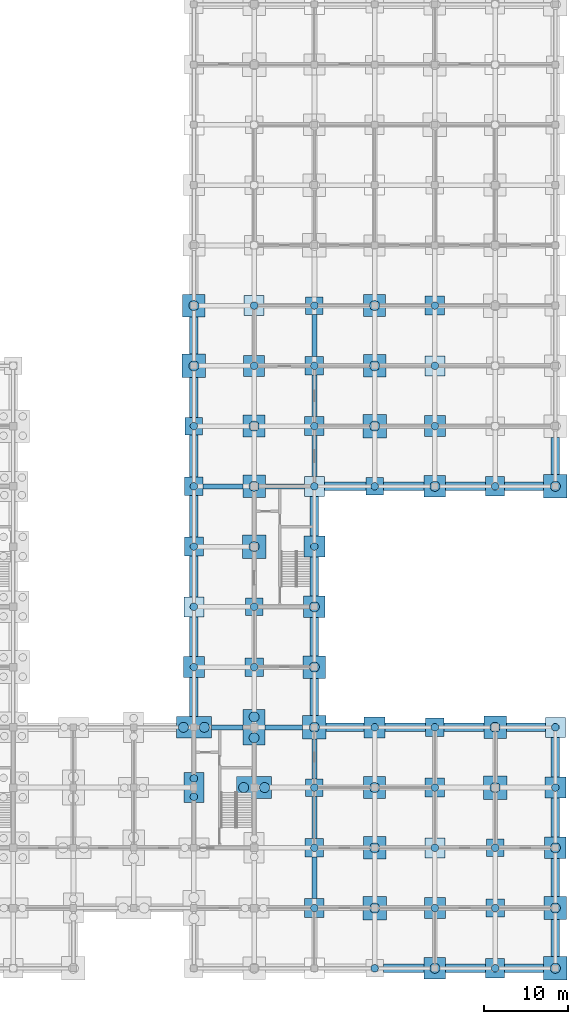
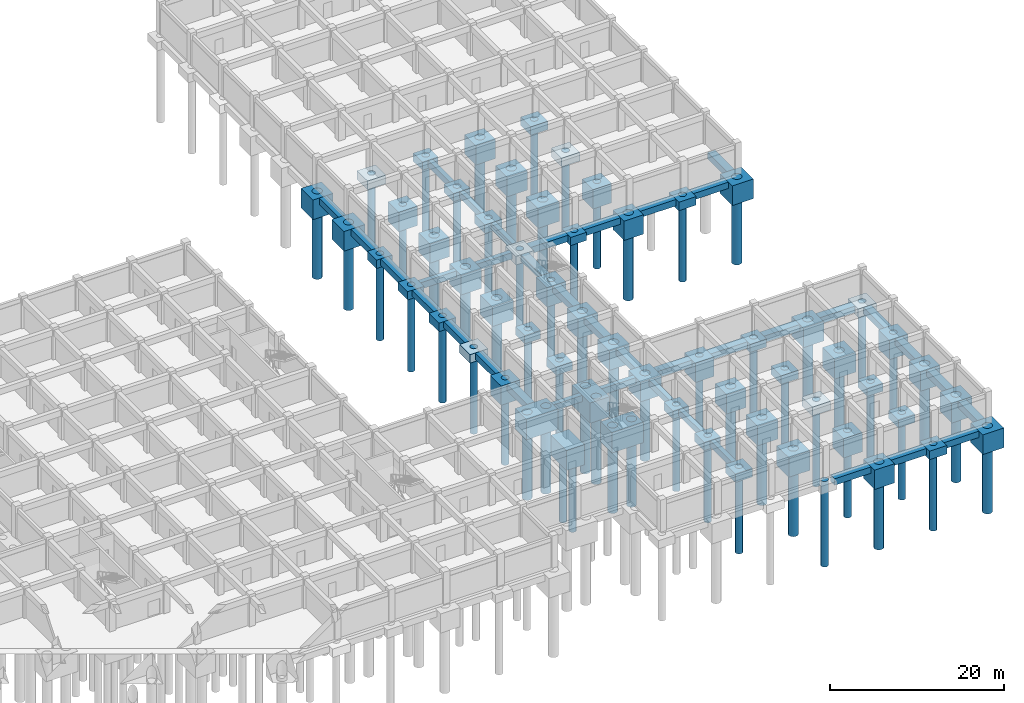
# One storey, part 6 of 25: 95 footings, 63 piles.
"""IFC4 building model written with IfcOpenShell, lengths in metres."""

from ifc_helpers import new_model, si_unit, direction, frame, origin, origin_2d, place, context, subcontext, project, spatial, rectangle, circle, extrude, material, material_profile, profile_set, type_object, element, save


model = new_model("IFC4")

# Units and contexts
model_context = context("Model", 3, precision=1e-05, world=origin(), true_north=direction((0.0, 1.0)))
body_context = subcontext(model_context, "Body", "Model", "MODEL_VIEW")
ifc_project = project(units=[si_unit("LENGTHUNIT", "METRE"), si_unit("AREAUNIT", "SQUARE_METRE"), si_unit("VOLUMEUNIT", "CUBIC_METRE"), si_unit("PLANEANGLEUNIT", "RADIAN"), si_unit("MASSUNIT", "GRAM", prefix="KILO")], contexts=[model_context])

# Site, building, storey
site_placement = place(None, origin())
site = spatial("IfcSite", under=ifc_project, at=site_placement, CompositionType="ELEMENT")
building_placement = place(site_placement, origin())
building = spatial("IfcBuilding", under=site, at=building_placement, Name="Cendaluz Park School", CompositionType="ELEMENT")
storey_placement = place(building_placement, frame((0.0, 0.0, -4.5)))
storey = spatial("IfcBuildingStorey", under=building, at=storey_placement, Name="B1", CompositionType="ELEMENT", Elevation=-4.5)

# Piles
ifc_material = material(Name="Concrete C40/50", Category="concrete")
ifc_material_profile_1 = material_profile(ifc_material, circle(Radius=0.449951171875, at=origin_2d()), Name="BP D900", Category="concrete")
ifc_profile_set_1 = profile_set([ifc_material_profile_1], Name="Concrete C40/50")
pile_type_1 = type_object("IfcPileType", Name="BP-01", PredefinedType="BORED", material=ifc_profile_set_1)
for number, where, z_axis, x_axis, name in (
    (1, (129.60009765625, 20.5, -0.5), (0.0, 0.0, -1.0), (1.0, 0.0, 0.0), "PL-B1-407"),
    (2, (129.60009765625, 22.699951171875, -0.5), (0.0, 0.0, -1.0), (1.0, 0.0, 0.0), "PL-B1-408"),
    (3, (129.60009765625, 36.0, -0.5), (0.0, 0.0, -1.0), (1.0, 0.0, 0.0), "PL-B1-411"),
    (4, (129.60009765625, 43.199951171875, -0.5), (0.0, 0.0, -1.0), (1.0, 0.0, 0.0), "PL-B1-412"),
    (5, (129.60009765625, 50.39990234375, -0.5), (0.0, 0.0, -1.0), (1.0, 0.0, 0.0), "PL-B1-413"),
    (6, (129.60009765625, 57.60009765625, -0.5), (0.0, 0.0, -1.0), (1.0, 0.0, 0.0), "PL-B1-414"),
    (7, (129.60009765625, 64.800048828125, -0.5), (0.0, 0.0, -1.0), (1.0, 0.0, 0.0), "PL-B1-415"),
    (8, (136.800048828125, 36.0, -0.5), (0.0, 0.0, -1.0), (1.0, 0.0, 0.0), "PL-B1-432"),
    (9, (136.800048828125, 43.199951171875, -0.5), (0.0, 0.0, -1.0), (1.0, 0.0, 0.0), "PL-B1-433"),
    (10, (136.800048828125, 72.0, -0.5), (0.0, 0.0, -1.0), (1.0, 0.0, 0.0), "PL-B1-437"),
    (11, (136.800048828125, 79.199951171875, -0.5), (0.0, 0.0, -1.0), (1.0, 0.0, 0.0), "PL-B1-438"),
    (12, (144.0, 7.199951171875, -0.5), (0.0, 0.0, -1.0), (1.0, 0.0, 0.0), "PL-B1-445"),
    (13, (144.0, 14.39990234375, -0.5), (0.0, 0.0, -1.0), (1.0, 0.0, 0.0), "PL-B1-446"),
    (14, (144.0, 21.60009765625, -0.5), (0.0, 0.0, -1.0), (1.0, 0.0, 0.0), "PL-B1-447"),
    (15, (144.0, 50.39990234375, -0.5), (0.0, 0.0, -1.0), (1.0, 0.0, 0.0), "PL-B1-451"),
    (16, (144.0, 57.60009765625, -0.5), (0.0, 0.0, -1.0), (1.0, 0.0, 0.0), "PL-B1-452"),
    (17, (144.0, 64.800048828125, -0.5), (0.0, 0.0, -1.0), (1.0, 0.0, 0.0), "PL-B1-453"),
    (18, (144.0, 72.0, -0.5), (0.0, 0.0, -1.0), (1.0, 0.0, 0.0), "PL-B1-454"),
    (19, (144.0, 79.199951171875, -0.5), (0.0, 0.0, -1.0), (1.0, 0.0, 0.0), "PL-B1-455"),
    (20, (151.199951171875, 0.0, -0.5), (0.0, 0.0, -1.0), (1.0, 0.0, 0.0), "PL-B1-461"),
    (21, (151.199951171875, 28.800048828125, -0.5), (0.0, 0.0, -1.0), (1.0, 0.0, 0.0), "PL-B1-465"),
    (22, (151.199951171875, 57.60009765625, -0.5), (0.0, 0.0, -1.0), (1.0, 0.0, 0.0), "PL-B1-466"),
    (23, (158.39990234375, 7.199951171875, -0.5), (0.0, 0.0, -1.0), (1.0, 0.0, 0.0), "PL-B1-476"),
    (24, (158.39990234375, 14.39990234375, -0.5), (0.0, 0.0, -1.0), (1.0, 0.0, 0.0), "PL-B1-477"),
    (25, (158.39990234375, 21.60009765625, -0.5), (0.0, 0.0, -1.0), (1.0, 0.0, 0.0), "PL-B1-478"),
    (26, (158.39990234375, 28.800048828125, -0.5), (0.0, 0.0, -1.0), (1.0, 0.0, 0.0), "PL-B1-479"),
    (27, (158.39990234375, 64.800048828125, -0.5), (0.0, 0.0, -1.0), (1.0, 0.0, 0.0), "PL-B1-481"),
    (28, (158.39990234375, 72.0, -0.5), (0.0, 0.0, -1.0), (1.0, 0.0, 0.0), "PL-B1-482"),
    (29, (158.39990234375, 79.199951171875, -0.5), (0.0, 0.0, -1.0), (1.0, 0.0, 0.0), "PL-B1-483"),
    (30, (165.60009765625, 0.0, -0.5), (0.0, 0.0, -1.0), (1.0, 0.0, 0.0), "PL-B1-489"),
    (31, (165.60009765625, 7.199951171875, -0.5), (0.0, 0.0, -1.0), (1.0, 0.0, 0.0), "PL-B1-490"),
    (32, (165.60009765625, 14.39990234375, -0.5), (0.0, 0.0, -1.0), (1.0, 0.0, 0.0), "PL-B1-491"),
    (33, (165.60009765625, 57.60009765625, -0.5), (0.0, 0.0, -1.0), (1.0, 0.0, 0.0), "PL-B1-494"),
    (34, (172.800048828125, 21.60009765625, -0.5), (0.0, 0.0, -1.0), (1.0, 0.0, 0.0), "PL-B1-506"),
    (35, (172.800048828125, 28.800048828125, -0.5), (0.0, 0.0, -1.0), (1.0, 0.0, 0.0), "PL-B1-507"),
):
    element("IfcPile", number, at=place(storey_placement, frame(where, z_axis=z_axis, x_axis=x_axis)), inside=storey, type_object=pile_type_1, Name=name, PredefinedType="BORED", context=body_context, shape_type="SweptSolid", body=[
        extrude(circle(Radius=0.449951171875, at=origin_2d()), origin(), (0.0, 0.0, 1.0), 12.0),
    ])
ifc_material_profile_2 = material_profile(ifc_material, circle(Radius=0.60009765625, at=origin_2d()), Name="BP D1200", Category="concrete")
ifc_profile_set_2 = profile_set([ifc_material_profile_2], Name="Concrete C40/50")
pile_type_2 = type_object("IfcPileType", Name="BP-02", PredefinedType="BORED", material=ifc_profile_set_2)
for number, where, z_axis, x_axis, name in (
    (36, (128.35009765625, 28.800048828125, -0.5), (0.0, 0.0, -1.0), (1.0, 0.0, 0.0), "PL-B1-409"),
    (37, (130.85009765625, 28.800048828125, -0.5), (0.0, 0.0, -1.0), (1.0, 0.0, 0.0), "PL-B1-410"),
    (38, (129.60009765625, 72.0, -0.5), (0.0, 0.0, -1.0), (1.0, 0.0, 0.0), "PL-B1-416"),
    (39, (129.60009765625, 79.199951171875, -0.5), (0.0, 0.0, -1.0), (1.0, 0.0, 0.0), "PL-B1-417"),
    (40, (135.550048828125, 21.60009765625, -0.5), (0.0, 0.0, -1.0), (1.0, 0.0, 0.0), "PL-B1-428"),
    (41, (138.050048828125, 21.60009765625, -0.5), (0.0, 0.0, -1.0), (1.0, 0.0, 0.0), "PL-B1-429"),
    (42, (136.800048828125, 27.550048828125, -0.5), (0.0, 0.0, -1.0), (1.0, 0.0, 0.0), "PL-B1-430"),
    (43, (136.800048828125, 30.050048828125, -0.5), (0.0, 0.0, -1.0), (1.0, 0.0, 0.0), "PL-B1-431"),
    (44, (136.800048828125, 50.39990234375, -0.5), (0.0, 0.0, -1.0), (1.0, 0.0, 0.0), "PL-B1-434"),
    (45, (136.800048828125, 57.60009765625, -0.5), (0.0, 0.0, -1.0), (1.0, 0.0, 0.0), "PL-B1-435"),
    (46, (136.800048828125, 64.800048828125, -0.5), (0.0, 0.0, -1.0), (1.0, 0.0, 0.0), "PL-B1-436"),
    (47, (144.0, 28.800048828125, -0.5), (0.0, 0.0, -1.0), (1.0, 0.0, 0.0), "PL-B1-448"),
    (48, (144.0, 36.0, -0.5), (0.0, 0.0, -1.0), (1.0, 0.0, 0.0), "PL-B1-449"),
    (49, (144.0, 43.199951171875, -0.5), (0.0, 0.0, -1.0), (1.0, 0.0, 0.0), "PL-B1-450"),
    (50, (151.199951171875, 7.199951171875, -0.5), (0.0, 0.0, -1.0), (1.0, 0.0, 0.0), "PL-B1-462"),
    (51, (151.199951171875, 14.39990234375, -0.5), (0.0, 0.0, -1.0), (1.0, 0.0, 0.0), "PL-B1-463"),
    (52, (151.199951171875, 21.60009765625, -0.5), (0.0, 0.0, -1.0), (1.0, 0.0, 0.0), "PL-B1-464"),
    (53, (151.199951171875, 64.800048828125, -0.5), (0.0, 0.0, -1.0), (1.0, 0.0, 0.0), "PL-B1-467"),
    (54, (151.199951171875, 72.0, -0.5), (0.0, 0.0, -1.0), (1.0, 0.0, 0.0), "PL-B1-468"),
    (55, (151.199951171875, 79.199951171875, -0.5), (0.0, 0.0, -1.0), (1.0, 0.0, 0.0), "PL-B1-469"),
    (56, (158.39990234375, 0.0, -0.5), (0.0, 0.0, -1.0), (1.0, 0.0, 0.0), "PL-B1-475"),
    (57, (158.39990234375, 57.60009765625, -0.5), (0.0, 0.0, -1.0), (1.0, 0.0, 0.0), "PL-B1-480"),
    (58, (165.60009765625, 21.60009765625, -0.5), (0.0, 0.0, -1.0), (1.0, 0.0, 0.0), "PL-B1-492"),
    (59, (165.60009765625, 28.800048828125, -0.5), (0.0, 0.0, -1.0), (1.0, 0.0, 0.0), "PL-B1-493"),
    (60, (172.800048828125, 0.0, -0.5), (0.0, 0.0, -1.0), (1.0, 0.0, 0.0), "PL-B1-503"),
    (61, (172.800048828125, 7.199951171875, -0.5), (0.0, 0.0, -1.0), (1.0, 0.0, 0.0), "PL-B1-504"),
    (62, (172.800048828125, 14.39990234375, -0.5), (0.0, 0.0, -1.0), (1.0, 0.0, 0.0), "PL-B1-505"),
    (63, (172.800048828125, 57.60009765625, -0.5), (0.0, 0.0, -1.0), (1.0, 0.0, 0.0), "PL-B1-508"),
):
    element("IfcPile", number, at=place(storey_placement, frame(where, z_axis=z_axis, x_axis=x_axis)), inside=storey, type_object=pile_type_2, Name=name, PredefinedType="BORED", context=body_context, shape_type="SweptSolid", body=[
        extrude(circle(Radius=0.60009765625, at=origin_2d()), origin(), (0.0, 0.0, 1.0), 12.0),
    ])

# Footings
footing_type_1 = type_object("IfcFootingType", Name="FB-X380", PredefinedType="FOOTING_BEAM", material=ifc_material)
footing_1_placement = place(storey_placement, frame((133.60009765625, 28.800048828125, -1.39990234375), z_axis=(0.0, 0.0, 1.0), x_axis=(1.0, 0.0, 0.0)))
element("IfcFooting", 64, at=footing_1_placement, inside=storey, type_object=footing_type_1, Name="FT-B1-377", PredefinedType="FOOTING_BEAM", context=body_context, shape_type="SweptSolid", body=[
    extrude(rectangle(XDim=3.800048828125, YDim=0.60009765625, at=origin_2d()), origin(), (0.0, 0.0, 1.0), 0.89990234375),
])
footing_type_2 = type_object("IfcFootingType", Name="FB-X450", PredefinedType="FOOTING_BEAM", material=ifc_material)
footing_2_placement = place(storey_placement, frame((140.35009765625, 28.800048828125, -1.39990234375), z_axis=(0.0, 0.0, 1.0), x_axis=(1.0, 0.0, 0.0)))
element("IfcFooting", 65, at=footing_2_placement, inside=storey, type_object=footing_type_2, Name="FT-B1-382", PredefinedType="FOOTING_BEAM", context=body_context, shape_type="SweptSolid", body=[
    extrude(rectangle(XDim=4.5, YDim=0.60009765625, at=origin_2d()), origin(), (0.0, 0.0, 1.0), 0.89990234375),
])
footing_type_3 = type_object("IfcFootingType", Name="FB-X465", PredefinedType="FOOTING_BEAM", material=ifc_material)
footing_3_placement = place(storey_placement, frame((140.47509765625, 57.60009765625, -1.39990234375), z_axis=(0.0, 0.0, 1.0), x_axis=(1.0, 0.0, 0.0)))
element("IfcFooting", 66, at=footing_3_placement, inside=storey, type_object=footing_type_3, Name="FT-B1-383", PredefinedType="FOOTING_BEAM", context=body_context, shape_type="SweptSolid", body=[
    extrude(rectangle(XDim=4.64990234375, YDim=0.60009765625, at=origin_2d()), origin(), (0.0, 0.0, 1.0), 0.89990234375),
])
footing_type_4 = type_object("IfcFootingType", Name="FB-X475", PredefinedType="FOOTING_BEAM", material=ifc_material)
footing_4_placement = place(storey_placement, frame((133.074951171875, 57.60009765625, -1.39990234375), z_axis=(0.0, 0.0, 1.0), x_axis=(1.0, 0.0, 0.0)))
element("IfcFooting", 67, at=footing_4_placement, inside=storey, type_object=footing_type_4, Name="FT-B1-378", PredefinedType="FOOTING_BEAM", context=body_context, shape_type="SweptSolid", body=[
    extrude(rectangle(XDim=4.75, YDim=0.60009765625, at=origin_2d()), origin(), (0.0, 0.0, 1.0), 0.89990234375),
])
footing_type_5 = type_object("IfcFootingType", Name="FB-Y475", PredefinedType="FOOTING_BEAM", material=ifc_material)
footing_5_placement = place(storey_placement, frame((144.0, 25.02490234375, -1.39990234375), z_axis=(0.0, 0.0, 1.0), x_axis=(1.0, 0.0, 0.0)))
element("IfcFooting", 68, at=footing_5_placement, inside=storey, type_object=footing_type_5, Name="FT-B1-493", PredefinedType="FOOTING_BEAM", context=body_context, shape_type="SweptSolid", body=[
    extrude(rectangle(XDim=0.60009765625, YDim=4.75, at=origin_2d()), origin(), (0.0, 0.0, 1.0), 0.89990234375),
])
footing_type_6 = type_object("IfcFootingType", Name="FB-Y485", PredefinedType="FOOTING_BEAM", material=ifc_material)
footing_6_placement = place(storey_placement, frame((144.0, 61.22509765625, -1.39990234375), z_axis=(0.0, 0.0, 1.0), x_axis=(1.0, 0.0, 0.0)))
element("IfcFooting", 69, at=footing_6_placement, inside=storey, type_object=footing_type_6, Name="FT-B1-498", PredefinedType="FOOTING_BEAM", context=body_context, shape_type="SweptSolid", body=[
    extrude(rectangle(XDim=0.60009765625, YDim=4.85009765625, at=origin_2d()), origin(), (0.0, 0.0, 1.0), 0.89990234375),
])
footing_type_7 = type_object("IfcFootingType", Name="FB-Y495", PredefinedType="FOOTING_BEAM", material=ifc_material)
for number, where, z_axis, x_axis, name in (
    (70, (144.0, 10.824951171875, -1.39990234375), (0.0, 0.0, 1.0), (1.0, 0.0, 0.0), "FT-B1-491"),
    (71, (144.0, 68.425048828125, -1.39990234375), (0.0, 0.0, 1.0), (1.0, 0.0, 0.0), "FT-B1-499"),
):
    element("IfcFooting", number, at=place(storey_placement, frame(where, z_axis=z_axis, x_axis=x_axis)), inside=storey, type_object=footing_type_7, Name=name, PredefinedType="FOOTING_BEAM", context=body_context, shape_type="SweptSolid", body=[
        extrude(rectangle(XDim=0.60009765625, YDim=4.949951171875, at=origin_2d()), origin(), (0.0, 0.0, 1.0), 0.89990234375),
    ])
footing_type_8 = type_object("IfcFootingType", Name="FB-Y505", PredefinedType="FOOTING_BEAM", material=ifc_material)
for number, where, z_axis, x_axis, name in (
    (72, (144.0, 18.02490234375, -1.39990234375), (0.0, 0.0, 1.0), (1.0, 0.0, 0.0), "FT-B1-492"),
    (73, (144.0, 75.625, -1.39990234375), (0.0, 0.0, 1.0), (1.0, 0.0, 0.0), "FT-B1-500"),
):
    element("IfcFooting", number, at=place(storey_placement, frame(where, z_axis=z_axis, x_axis=x_axis)), inside=storey, type_object=footing_type_8, Name=name, PredefinedType="FOOTING_BEAM", context=body_context, shape_type="SweptSolid", body=[
        extrude(rectangle(XDim=0.60009765625, YDim=5.050048828125, at=origin_2d()), origin(), (0.0, 0.0, 1.0), 0.89990234375),
    ])
footing_type_9 = type_object("IfcFootingType", Name="PC-06", PredefinedType="PILE_CAP", material=ifc_material)
footing_7_placement = place(storey_placement, frame((129.60009765625, 21.60009765625, -3.2998046875), z_axis=(0.0, 0.0, 1.0), x_axis=(1.0, 0.0, 0.0)))
element("IfcFooting", 74, at=footing_7_placement, inside=storey, type_object=footing_type_9, Name="FT-B1-206", PredefinedType="PILE_CAP", context=body_context, shape_type="SweptSolid", body=[
    extrude(rectangle(XDim=2.39990234375, YDim=3.60009765625, at=origin_2d()), origin(), (0.0, 0.0, 1.0), 2.800048828125),
])
footing_type_10 = type_object("IfcFootingType", Name="PC-07", PredefinedType="PILE_CAP", material=ifc_material)
for number, where, z_axis, x_axis, name in (
    (75, (129.60009765625, 28.800048828125, -3.35009765625), (0.0, 0.0, 1.0), (1.0, 0.0, 0.0), "FT-B1-207"),
    (76, (136.800048828125, 21.60009765625, -3.35009765625), (0.0, 0.0, 1.0), (1.0, 0.0, 0.0), "FT-B1-223"),
):
    element("IfcFooting", number, at=place(storey_placement, frame(where, z_axis=z_axis, x_axis=x_axis)), inside=storey, type_object=footing_type_10, Name=name, PredefinedType="PILE_CAP", context=body_context, shape_type="SweptSolid", body=[
        extrude(rectangle(XDim=4.199951171875, YDim=2.60009765625, at=origin_2d()), origin(), (0.0, 0.0, 1.0), 2.85009765625),
    ])
footing_type_11 = type_object("IfcFootingType", Name="PC-08", PredefinedType="PILE_CAP", material=ifc_material)
footing_8_placement = place(storey_placement, frame((136.800048828125, 28.800048828125, -3.35009765625), z_axis=(0.0, 0.0, 1.0), x_axis=(1.0, 0.0, 0.0)))
element("IfcFooting", 77, at=footing_8_placement, inside=storey, type_object=footing_type_11, Name="FT-B1-224", PredefinedType="PILE_CAP", context=body_context, shape_type="SweptSolid", body=[
    extrude(rectangle(XDim=2.60009765625, YDim=4.199951171875, at=origin_2d()), origin(), (0.0, 0.0, 1.0), 2.85009765625),
])
footing_type_12 = type_object("IfcFootingType", Name="PC-09", PredefinedType="PILE_CAP", material=ifc_material)
for number, where, z_axis, x_axis, name in (
    (78, (129.60009765625, 72.0, -3.25), (0.0, 0.0, 1.0), (1.0, 0.0, 0.0), "FT-B1-213"),
    (79, (136.800048828125, 50.39990234375, -3.25), (0.0, 0.0, 1.0), (1.0, 0.0, 0.0), "FT-B1-227"),
    (80, (144.0, 28.800048828125, -3.25), (0.0, 0.0, 1.0), (1.0, 0.0, 0.0), "FT-B1-241"),
    (81, (151.199951171875, 7.199951171875, -3.25), (0.0, 0.0, 1.0), (1.0, 0.0, 0.0), "FT-B1-255"),
    (82, (151.199951171875, 64.800048828125, -3.25), (0.0, 0.0, 1.0), (1.0, 0.0, 0.0), "FT-B1-260"),
    (83, (165.60009765625, 21.60009765625, -3.25), (0.0, 0.0, 1.0), (1.0, 0.0, 0.0), "FT-B1-285"),
    (84, (172.800048828125, 0.0, -3.25), (0.0, 0.0, 1.0), (1.0, 0.0, 0.0), "FT-B1-296"),
    (85, (172.800048828125, 57.60009765625, -3.25), (0.0, 0.0, 1.0), (1.0, 0.0, 0.0), "FT-B1-301"),
):
    element("IfcFooting", number, at=place(storey_placement, frame(where, z_axis=z_axis, x_axis=x_axis)), inside=storey, type_object=footing_type_12, Name=name, PredefinedType="PILE_CAP", context=body_context, shape_type="SweptSolid", body=[
        extrude(rectangle(XDim=2.800048828125, YDim=2.800048828125, at=origin_2d()), origin(), (0.0, 0.0, 1.0), 2.75),
    ])
footing_type_13 = type_object("IfcFootingType", Name="PC-10", PredefinedType="PILE_CAP", material=ifc_material)
for number, where, z_axis, x_axis, name in (
    (86, (129.60009765625, 79.199951171875, -3.25), (0.0, 0.0, 1.0), (1.0, 0.0, 0.0), "FT-B1-214"),
    (87, (136.800048828125, 57.60009765625, -3.25), (0.0, 0.0, 1.0), (1.0, 0.0, 0.0), "FT-B1-228"),
    (88, (144.0, 36.0, -3.25), (0.0, 0.0, 1.0), (1.0, 0.0, 0.0), "FT-B1-242"),
    (89, (151.199951171875, 14.39990234375, -3.25), (0.0, 0.0, 1.0), (1.0, 0.0, 0.0), "FT-B1-256"),
    (90, (151.199951171875, 72.0, -3.25), (0.0, 0.0, 1.0), (1.0, 0.0, 0.0), "FT-B1-261"),
    (91, (165.60009765625, 28.800048828125, -3.25), (0.0, 0.0, 1.0), (1.0, 0.0, 0.0), "FT-B1-286"),
    (92, (172.800048828125, 7.199951171875, -3.25), (0.0, 0.0, 1.0), (1.0, 0.0, 0.0), "FT-B1-297"),
):
    element("IfcFooting", number, at=place(storey_placement, frame(where, z_axis=z_axis, x_axis=x_axis)), inside=storey, type_object=footing_type_13, Name=name, PredefinedType="PILE_CAP", context=body_context, shape_type="SweptSolid", body=[
        extrude(rectangle(XDim=2.699951171875, YDim=2.699951171875, at=origin_2d()), origin(), (0.0, 0.0, 1.0), 2.75),
    ])
footing_type_14 = type_object("IfcFootingType", Name="PC-11", PredefinedType="PILE_CAP", material=ifc_material)
for number, where, z_axis, x_axis, name in (
    (93, (136.800048828125, 64.800048828125, -3.2001953125), (0.0, 0.0, 1.0), (1.0, 0.0, 0.0), "FT-B1-229"),
    (94, (144.0, 43.199951171875, -3.2001953125), (0.0, 0.0, 1.0), (1.0, 0.0, 0.0), "FT-B1-243"),
    (95, (151.199951171875, 21.60009765625, -3.2001953125), (0.0, 0.0, 1.0), (1.0, 0.0, 0.0), "FT-B1-257"),
    (96, (151.199951171875, 79.199951171875, -3.2001953125), (0.0, 0.0, 1.0), (1.0, 0.0, 0.0), "FT-B1-262"),
    (97, (158.39990234375, 0.0, -3.2001953125), (0.0, 0.0, 1.0), (1.0, 0.0, 0.0), "FT-B1-268"),
    (98, (158.39990234375, 57.60009765625, -3.2001953125), (0.0, 0.0, 1.0), (1.0, 0.0, 0.0), "FT-B1-273"),
    (99, (172.800048828125, 14.39990234375, -3.2001953125), (0.0, 0.0, 1.0), (1.0, 0.0, 0.0), "FT-B1-298"),
):
    element("IfcFooting", number, at=place(storey_placement, frame(where, z_axis=z_axis, x_axis=x_axis)), inside=storey, type_object=footing_type_14, Name=name, PredefinedType="PILE_CAP", context=body_context, shape_type="SweptSolid", body=[
        extrude(rectangle(XDim=2.60009765625, YDim=2.60009765625, at=origin_2d()), origin(), (0.0, 0.0, 1.0), 2.699951171875),
    ])
footing_type_15 = type_object("IfcFootingType", Name="PC-12", PredefinedType="PILE_CAP", material=ifc_material)
for number, where, z_axis, x_axis, name in (
    (100, (129.60009765625, 36.0, -3.2001953125), (0.0, 0.0, 1.0), (1.0, 0.0, 0.0), "FT-B1-208"),
    (101, (136.800048828125, 72.0, -3.2001953125), (0.0, 0.0, 1.0), (1.0, 0.0, 0.0), "FT-B1-230"),
    (102, (144.0, 50.39990234375, -3.2001953125), (0.0, 0.0, 1.0), (1.0, 0.0, 0.0), "FT-B1-244"),
    (103, (151.199951171875, 28.800048828125, -3.2001953125), (0.0, 0.0, 1.0), (1.0, 0.0, 0.0), "FT-B1-258"),
    (104, (158.39990234375, 7.199951171875, -3.2001953125), (0.0, 0.0, 1.0), (1.0, 0.0, 0.0), "FT-B1-269"),
    (105, (158.39990234375, 64.800048828125, -3.2001953125), (0.0, 0.0, 1.0), (1.0, 0.0, 0.0), "FT-B1-274"),
    (106, (172.800048828125, 21.60009765625, -3.2001953125), (0.0, 0.0, 1.0), (1.0, 0.0, 0.0), "FT-B1-299"),
):
    element("IfcFooting", number, at=place(storey_placement, frame(where, z_axis=z_axis, x_axis=x_axis)), inside=storey, type_object=footing_type_15, Name=name, PredefinedType="PILE_CAP", context=body_context, shape_type="SweptSolid", body=[
        extrude(rectangle(XDim=2.5, YDim=2.5, at=origin_2d()), origin(), (0.0, 0.0, 1.0), 2.699951171875),
    ])
footing_type_16 = type_object("IfcFootingType", Name="PC-13", PredefinedType="PILE_CAP", material=ifc_material)
for number, where, z_axis, x_axis, name in (
    (107, (129.60009765625, 43.199951171875, -1.7001953125), (0.0, 0.0, 1.0), (1.0, 0.0, 0.0), "FT-B1-209"),
    (108, (136.800048828125, 79.199951171875, -1.7001953125), (0.0, 0.0, 1.0), (1.0, 0.0, 0.0), "FT-B1-231"),
    (109, (144.0, 57.60009765625, -1.7001953125), (0.0, 0.0, 1.0), (1.0, 0.0, 0.0), "FT-B1-245"),
    (110, (158.39990234375, 14.39990234375, -1.7001953125), (0.0, 0.0, 1.0), (1.0, 0.0, 0.0), "FT-B1-270"),
    (111, (158.39990234375, 72.0, -1.7001953125), (0.0, 0.0, 1.0), (1.0, 0.0, 0.0), "FT-B1-275"),
    (112, (172.800048828125, 28.800048828125, -1.7001953125), (0.0, 0.0, 1.0), (1.0, 0.0, 0.0), "FT-B1-300"),
):
    element("IfcFooting", number, at=place(storey_placement, frame(where, z_axis=z_axis, x_axis=x_axis)), inside=storey, type_object=footing_type_16, Name=name, PredefinedType="PILE_CAP", context=body_context, shape_type="SweptSolid", body=[
        extrude(rectangle(XDim=2.39990234375, YDim=2.39990234375, at=origin_2d()), origin(), (0.0, 0.0, 1.0), 1.199951171875),
    ])
footing_type_17 = type_object("IfcFootingType", Name="PC-14", PredefinedType="PILE_CAP", material=ifc_material)
for number, where, z_axis, x_axis, name in (
    (113, (129.60009765625, 50.39990234375, -1.7001953125), (0.0, 0.0, 1.0), (1.0, 0.0, 0.0), "FT-B1-210"),
    (114, (144.0, 7.199951171875, -1.7001953125), (0.0, 0.0, 1.0), (1.0, 0.0, 0.0), "FT-B1-238"),
    (115, (144.0, 64.800048828125, -1.7001953125), (0.0, 0.0, 1.0), (1.0, 0.0, 0.0), "FT-B1-246"),
    (116, (158.39990234375, 21.60009765625, -1.7001953125), (0.0, 0.0, 1.0), (1.0, 0.0, 0.0), "FT-B1-271"),
    (117, (158.39990234375, 79.199951171875, -1.7001953125), (0.0, 0.0, 1.0), (1.0, 0.0, 0.0), "FT-B1-276"),
    (118, (165.60009765625, 0.0, -1.7001953125), (0.0, 0.0, 1.0), (1.0, 0.0, 0.0), "FT-B1-282"),
    (119, (165.60009765625, 57.60009765625, -1.7001953125), (0.0, 0.0, 1.0), (1.0, 0.0, 0.0), "FT-B1-287"),
):
    element("IfcFooting", number, at=place(storey_placement, frame(where, z_axis=z_axis, x_axis=x_axis)), inside=storey, type_object=footing_type_17, Name=name, PredefinedType="PILE_CAP", context=body_context, shape_type="SweptSolid", body=[
        extrude(rectangle(XDim=2.300048828125, YDim=2.300048828125, at=origin_2d()), origin(), (0.0, 0.0, 1.0), 1.199951171875),
    ])
footing_type_18 = type_object("IfcFootingType", Name="PC-15", PredefinedType="PILE_CAP", material=ifc_material)
for number, where, z_axis, x_axis, name in (
    (120, (129.60009765625, 57.60009765625, -1.64990234375), (0.0, 0.0, 1.0), (1.0, 0.0, 0.0), "FT-B1-211"),
    (121, (136.800048828125, 36.0, -1.64990234375), (0.0, 0.0, 1.0), (1.0, 0.0, 0.0), "FT-B1-225"),
    (122, (144.0, 14.39990234375, -1.64990234375), (0.0, 0.0, 1.0), (1.0, 0.0, 0.0), "FT-B1-239"),
    (123, (144.0, 72.0, -1.64990234375), (0.0, 0.0, 1.0), (1.0, 0.0, 0.0), "FT-B1-247"),
    (124, (158.39990234375, 28.800048828125, -1.64990234375), (0.0, 0.0, 1.0), (1.0, 0.0, 0.0), "FT-B1-272"),
    (125, (165.60009765625, 7.199951171875, -1.64990234375), (0.0, 0.0, 1.0), (1.0, 0.0, 0.0), "FT-B1-283"),
):
    element("IfcFooting", number, at=place(storey_placement, frame(where, z_axis=z_axis, x_axis=x_axis)), inside=storey, type_object=footing_type_18, Name=name, PredefinedType="PILE_CAP", context=body_context, shape_type="SweptSolid", body=[
        extrude(rectangle(XDim=2.199951171875, YDim=2.199951171875, at=origin_2d()), origin(), (0.0, 0.0, 1.0), 1.14990234375),
    ])
footing_type_19 = type_object("IfcFootingType", Name="PC-16", PredefinedType="PILE_CAP", material=ifc_material)
for number, where, z_axis, x_axis, name in (
    (126, (129.60009765625, 64.800048828125, -1.64990234375), (0.0, 0.0, 1.0), (1.0, 0.0, 0.0), "FT-B1-212"),
    (127, (136.800048828125, 43.199951171875, -1.64990234375), (0.0, 0.0, 1.0), (1.0, 0.0, 0.0), "FT-B1-226"),
    (128, (144.0, 21.60009765625, -1.64990234375), (0.0, 0.0, 1.0), (1.0, 0.0, 0.0), "FT-B1-240"),
    (129, (144.0, 79.199951171875, -1.64990234375), (0.0, 0.0, 1.0), (1.0, 0.0, 0.0), "FT-B1-248"),
    (130, (151.199951171875, 57.60009765625, -1.64990234375), (0.0, 0.0, 1.0), (1.0, 0.0, 0.0), "FT-B1-259"),
    (131, (165.60009765625, 14.39990234375, -1.64990234375), (0.0, 0.0, 1.0), (1.0, 0.0, 0.0), "FT-B1-284"),
):
    element("IfcFooting", number, at=place(storey_placement, frame(where, z_axis=z_axis, x_axis=x_axis)), inside=storey, type_object=footing_type_19, Name=name, PredefinedType="PILE_CAP", context=body_context, shape_type="SweptSolid", body=[
        extrude(rectangle(XDim=2.10009765625, YDim=2.10009765625, at=origin_2d()), origin(), (0.0, 0.0, 1.0), 1.14990234375),
    ])
footing_type_20 = type_object("IfcFootingType", Name="SF-X455", PredefinedType="STRIP_FOOTING", material=ifc_material)
footing_9_placement = place(storey_placement, frame((147.675048828125, 28.800048828125, -1.39990234375), z_axis=(0.0, 0.0, 1.0), x_axis=(1.0, 0.0, 0.0)))
element("IfcFooting", 132, at=footing_9_placement, inside=storey, type_object=footing_type_20, Name="FT-B1-387", PredefinedType="STRIP_FOOTING", context=body_context, shape_type="SweptSolid", body=[
    extrude(rectangle(XDim=4.550048828125, YDim=1.0, at=origin_2d()), origin(), (0.0, 0.0, 1.0), 0.89990234375),
])
footing_type_21 = type_object("IfcFootingType", Name="SF-X465", PredefinedType="STRIP_FOOTING", material=ifc_material)
for number, where, z_axis, x_axis, name in (
    (133, (169.074951171875, 0.0, -1.39990234375), (0.0, 0.0, 1.0), (1.0, 0.0, 0.0), "FT-B1-401"),
    (134, (169.27490234375, 28.800048828125, -1.39990234375), (0.0, 0.0, 1.0), (1.0, 0.0, 0.0), "FT-B1-402"),
    (135, (169.074951171875, 57.60009765625, -1.39990234375), (0.0, 0.0, 1.0), (1.0, 0.0, 0.0), "FT-B1-403"),
):
    element("IfcFooting", number, at=place(storey_placement, frame(where, z_axis=z_axis, x_axis=x_axis)), inside=storey, type_object=footing_type_21, Name=name, PredefinedType="STRIP_FOOTING", context=body_context, shape_type="SweptSolid", body=[
        extrude(rectangle(XDim=4.64990234375, YDim=1.0, at=origin_2d()), origin(), (0.0, 0.0, 1.0), 0.89990234375),
    ])
footing_type_22 = type_object("IfcFootingType", Name="SF-X475", PredefinedType="STRIP_FOOTING", material=ifc_material)
for number, where, z_axis, x_axis, name in (
    (136, (162.074951171875, 0.0, -1.39990234375), (0.0, 0.0, 1.0), (1.0, 0.0, 0.0), "FT-B1-396"),
    (137, (161.875, 28.800048828125, -1.39990234375), (0.0, 0.0, 1.0), (1.0, 0.0, 0.0), "FT-B1-397"),
    (138, (162.074951171875, 57.60009765625, -1.39990234375), (0.0, 0.0, 1.0), (1.0, 0.0, 0.0), "FT-B1-398"),
):
    element("IfcFooting", number, at=place(storey_placement, frame(where, z_axis=z_axis, x_axis=x_axis)), inside=storey, type_object=footing_type_22, Name=name, PredefinedType="STRIP_FOOTING", context=body_context, shape_type="SweptSolid", body=[
        extrude(rectangle(XDim=4.75, YDim=1.0, at=origin_2d()), origin(), (0.0, 0.0, 1.0), 0.89990234375),
    ])
footing_type_23 = type_object("IfcFootingType", Name="SF-X485", PredefinedType="STRIP_FOOTING", material=ifc_material)
for number, where, z_axis, x_axis, name in (
    (139, (154.675048828125, 0.0, -1.39990234375), (0.0, 0.0, 1.0), (1.0, 0.0, 0.0), "FT-B1-391"),
    (140, (154.875, 28.800048828125, -1.39990234375), (0.0, 0.0, 1.0), (1.0, 0.0, 0.0), "FT-B1-392"),
    (141, (154.675048828125, 57.60009765625, -1.39990234375), (0.0, 0.0, 1.0), (1.0, 0.0, 0.0), "FT-B1-393"),
):
    element("IfcFooting", number, at=place(storey_placement, frame(where, z_axis=z_axis, x_axis=x_axis)), inside=storey, type_object=footing_type_23, Name=name, PredefinedType="STRIP_FOOTING", context=body_context, shape_type="SweptSolid", body=[
        extrude(rectangle(XDim=4.85009765625, YDim=1.0, at=origin_2d()), origin(), (0.0, 0.0, 1.0), 0.89990234375),
    ])
footing_type_24 = type_object("IfcFootingType", Name="SF-X495", PredefinedType="STRIP_FOOTING", material=ifc_material)
footing_10_placement = place(storey_placement, frame((147.675048828125, 57.60009765625, -1.39990234375), z_axis=(0.0, 0.0, 1.0), x_axis=(1.0, 0.0, 0.0)))
element("IfcFooting", 142, at=footing_10_placement, inside=storey, type_object=footing_type_24, Name="FT-B1-388", PredefinedType="STRIP_FOOTING", context=body_context, shape_type="SweptSolid", body=[
    extrude(rectangle(XDim=4.949951171875, YDim=1.0, at=origin_2d()), origin(), (0.0, 0.0, 1.0), 0.89990234375),
])
footing_type_25 = type_object("IfcFootingType", Name="SF-Y445", PredefinedType="STRIP_FOOTING", material=ifc_material)
for number, where, z_axis, x_axis, name in (
    (143, (129.60009765625, 75.625, -1.39990234375), (0.0, 0.0, 1.0), (1.0, 0.0, 0.0), "FT-B1-484"),
    (144, (144.0, 32.425048828125, -1.39990234375), (0.0, 0.0, 1.0), (1.0, 0.0, 0.0), "FT-B1-494"),
    (145, (172.800048828125, 3.625, -1.39990234375), (0.0, 0.0, 1.0), (1.0, 0.0, 0.0), "FT-B1-506"),
    (146, (172.800048828125, 61.22509765625, -1.39990234375), (0.0, 0.0, 1.0), (1.0, 0.0, 0.0), "FT-B1-510"),
):
    element("IfcFooting", number, at=place(storey_placement, frame(where, z_axis=z_axis, x_axis=x_axis)), inside=storey, type_object=footing_type_25, Name=name, PredefinedType="STRIP_FOOTING", context=body_context, shape_type="SweptSolid", body=[
        extrude(rectangle(XDim=1.0, YDim=4.449951171875, at=origin_2d()), origin(), (0.0, 0.0, 1.0), 0.89990234375),
    ])
footing_type_26 = type_object("IfcFootingType", Name="SF-Y455", PredefinedType="STRIP_FOOTING", material=ifc_material)
for number, where, z_axis, x_axis, name in (
    (147, (144.0, 39.625, -1.39990234375), (0.0, 0.0, 1.0), (1.0, 0.0, 0.0), "FT-B1-495"),
    (148, (172.800048828125, 10.824951171875, -1.39990234375), (0.0, 0.0, 1.0), (1.0, 0.0, 0.0), "FT-B1-507"),
):
    element("IfcFooting", number, at=place(storey_placement, frame(where, z_axis=z_axis, x_axis=x_axis)), inside=storey, type_object=footing_type_26, Name=name, PredefinedType="STRIP_FOOTING", context=body_context, shape_type="SweptSolid", body=[
        extrude(rectangle(XDim=1.0, YDim=4.550048828125, at=origin_2d()), origin(), (0.0, 0.0, 1.0), 0.89990234375),
    ])
footing_type_27 = type_object("IfcFootingType", Name="SF-Y465", PredefinedType="STRIP_FOOTING", material=ifc_material)
for number, where, z_axis, x_axis, name in (
    (149, (129.60009765625, 32.425048828125, -1.39990234375), (0.0, 0.0, 1.0), (1.0, 0.0, 0.0), "FT-B1-478"),
    (150, (144.0, 46.824951171875, -1.39990234375), (0.0, 0.0, 1.0), (1.0, 0.0, 0.0), "FT-B1-496"),
    (151, (172.800048828125, 18.02490234375, -1.39990234375), (0.0, 0.0, 1.0), (1.0, 0.0, 0.0), "FT-B1-508"),
):
    element("IfcFooting", number, at=place(storey_placement, frame(where, z_axis=z_axis, x_axis=x_axis)), inside=storey, type_object=footing_type_27, Name=name, PredefinedType="STRIP_FOOTING", context=body_context, shape_type="SweptSolid", body=[
        extrude(rectangle(XDim=1.0, YDim=4.64990234375, at=origin_2d()), origin(), (0.0, 0.0, 1.0), 0.89990234375),
    ])
footing_type_28 = type_object("IfcFootingType", Name="SF-Y475", PredefinedType="STRIP_FOOTING", material=ifc_material)
for number, where, z_axis, x_axis, name in (
    (152, (129.60009765625, 39.625, -1.39990234375), (0.0, 0.0, 1.0), (1.0, 0.0, 0.0), "FT-B1-479"),
    (153, (129.60009765625, 68.22509765625, -1.39990234375), (0.0, 0.0, 1.0), (1.0, 0.0, 0.0), "FT-B1-483"),
    (154, (144.0, 54.02490234375, -1.39990234375), (0.0, 0.0, 1.0), (1.0, 0.0, 0.0), "FT-B1-497"),
    (155, (172.800048828125, 25.22509765625, -1.39990234375), (0.0, 0.0, 1.0), (1.0, 0.0, 0.0), "FT-B1-509"),
):
    element("IfcFooting", number, at=place(storey_placement, frame(where, z_axis=z_axis, x_axis=x_axis)), inside=storey, type_object=footing_type_28, Name=name, PredefinedType="STRIP_FOOTING", context=body_context, shape_type="SweptSolid", body=[
        extrude(rectangle(XDim=1.0, YDim=4.75, at=origin_2d()), origin(), (0.0, 0.0, 1.0), 0.89990234375),
    ])
footing_type_29 = type_object("IfcFootingType", Name="SF-Y485", PredefinedType="STRIP_FOOTING", material=ifc_material)
footing_11_placement = place(storey_placement, frame((129.60009765625, 46.824951171875, -1.39990234375), z_axis=(0.0, 0.0, 1.0), x_axis=(1.0, 0.0, 0.0)))
element("IfcFooting", 156, at=footing_11_placement, inside=storey, type_object=footing_type_29, Name="FT-B1-480", PredefinedType="STRIP_FOOTING", context=body_context, shape_type="SweptSolid", body=[
    extrude(rectangle(XDim=1.0, YDim=4.85009765625, at=origin_2d()), origin(), (0.0, 0.0, 1.0), 0.89990234375),
])
footing_type_30 = type_object("IfcFootingType", Name="SF-Y495", PredefinedType="STRIP_FOOTING", material=ifc_material)
footing_12_placement = place(storey_placement, frame((129.60009765625, 54.02490234375, -1.39990234375), z_axis=(0.0, 0.0, 1.0), x_axis=(1.0, 0.0, 0.0)))
element("IfcFooting", 157, at=footing_12_placement, inside=storey, type_object=footing_type_30, Name="FT-B1-481", PredefinedType="STRIP_FOOTING", context=body_context, shape_type="SweptSolid", body=[
    extrude(rectangle(XDim=1.0, YDim=4.949951171875, at=origin_2d()), origin(), (0.0, 0.0, 1.0), 0.89990234375),
])
footing_type_31 = type_object("IfcFootingType", Name="SF-Y505", PredefinedType="STRIP_FOOTING", material=ifc_material)
footing_13_placement = place(storey_placement, frame((129.60009765625, 61.22509765625, -1.39990234375), z_axis=(0.0, 0.0, 1.0), x_axis=(1.0, 0.0, 0.0)))
element("IfcFooting", 158, at=footing_13_placement, inside=storey, type_object=footing_type_31, Name="FT-B1-482", PredefinedType="STRIP_FOOTING", context=body_context, shape_type="SweptSolid", body=[
    extrude(rectangle(XDim=1.0, YDim=5.050048828125, at=origin_2d()), origin(), (0.0, 0.0, 1.0), 0.89990234375),
])

save(model, "model.ifc")
